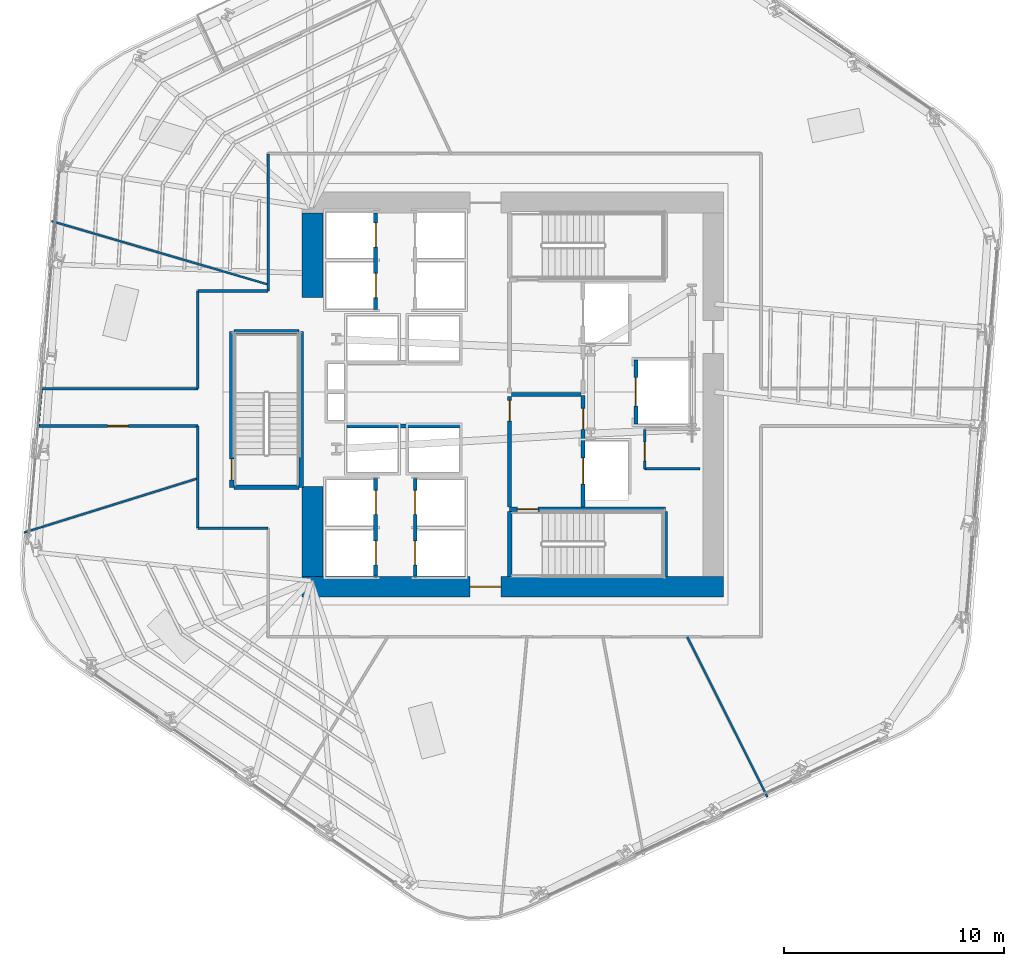
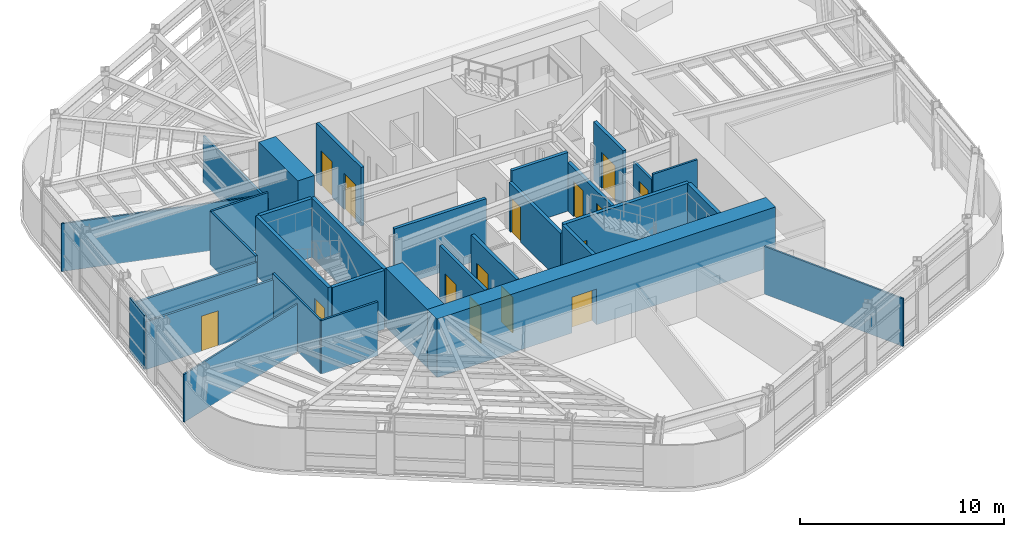
# One storey, part 9 of 19: 31 walls, 15 doors, 15 openings.
"""IFC4 building model written with IfcOpenShell, lengths in metres."""

from ifc_helpers import new_model, si_unit, direction, frame, frame_2d, origin, place, context, subcontext, project, spatial, rectangle, extrude, material, layer, layer_set, type_object, element, fill, save


model = new_model("IFC4")

# Units and contexts
model_context = context("Model", 3, precision=1e-05, world=origin(), true_north=direction((0.0, 1.0)))
body_context = subcontext(model_context, "Body", "Model", "MODEL_VIEW")
ifc_project = project(units=[si_unit("LENGTHUNIT", "METRE"), si_unit("AREAUNIT", "SQUARE_METRE"), si_unit("VOLUMEUNIT", "CUBIC_METRE"), si_unit("PLANEANGLEUNIT", "RADIAN"), si_unit("MASSUNIT", "GRAM", prefix="KILO")], contexts=[model_context])

# Site, building, storey
site_placement = place(None, origin())
site = spatial("IfcSite", under=ifc_project, at=site_placement, CompositionType="ELEMENT")
building_placement = place(site_placement, origin())
building = spatial("IfcBuilding", under=site, at=building_placement, Name="Valkerne Bourse Tower", CompositionType="ELEMENT")
storey_placement = place(building_placement, frame((0.0, 0.0, 131.39990234375)))
storey = spatial("IfcBuildingStorey", under=building, at=storey_placement, Name="L33", CompositionType="ELEMENT", Elevation=131.39990234375)

# Wall, opening, door
ifc_material_1 = material(Name="Concrete C70/85", Category="concrete")
ifc_layer_1 = layer(ifc_material_1, 0.949951171875)
ifc_layer_set_1 = layer_set([ifc_layer_1], Name="Concrete C70/85")
wall_type_1 = type_object("IfcWallType", Name="W-CORE-950", PredefinedType="SHEAR", material=ifc_layer_set_1)
wall_1_placement = place(storey_placement, frame((37.199951171875, 18.125, 0.0), z_axis=(0.0, 0.0, 1.0), x_axis=(1.0, 0.0, 0.0)))
wall_1 = element("IfcWall", 1, at=wall_1_placement, inside=storey, type_object=wall_type_1, Name="L33 Core Shear Wall SOUTH", PredefinedType="SHEAR", context=body_context, shape_type="SweptSolid", body=[
    extrude(rectangle(XDim=19.199951171875, YDim=0.949951171875, at=frame_2d((9.60009765625, 0.0))), origin(), (0.0, 0.0, 1.0), 3.52001953125),
])
opening_1_placement = place(wall_1_placement, frame((7.64990234375, 0.0, 0.0)))
opening_1 = element("IfcOpeningElement", 2, at=opening_1_placement, cuts=wall_1, Name="Opening D-PL-1400", PredefinedType="OPENING", context=body_context, shape_type="SweptSolid", body=[
    extrude(rectangle(XDim=1.39990234375, YDim=2.14990234375, at=frame_2d((0.699951171875, 1.074951171875))), frame((0.0, 0.48486328125, 0.0), z_axis=(0.0, -1.0, 0.0), x_axis=(1.0, 0.0, 0.0)), (0.0, 0.0, 1.0), 0.969970703125),
])
ifc_material_2 = material(Name="Galvanised Painted Steel", Category="steel")
door_type_1 = type_object("IfcDoorType", Name="DR-PLT-1400", OperationType="DOUBLE_DOOR_SINGLE_SWING", PredefinedType="DOOR", material=ifc_material_2)
door_1_placement = place(opening_1_placement, origin())
door_1 = element("IfcDoor", 3, at=door_1_placement, inside=storey, type_object=door_type_1, Name="L33 South Passenger Lift Hall Fire Door", OperationType="DOUBLE_DOOR_SINGLE_SWING", OverallHeight=2.14990234375, OverallWidth=1.39990234375, PredefinedType="DOOR", context=body_context, shape_type="SweptSolid", body=[
    extrude(rectangle(XDim=1.39990234375, YDim=2.14990234375, at=frame_2d((0.699951171875, 1.074951171875))), frame((0.0, 0.02490234375, 0.0), z_axis=(0.0, -1.0, 0.0), x_axis=(1.0, 0.0, 0.0)), (0.0, 0.0, 1.0), 0.050048828125),
])
fill(opening_1, door_1)

# Walls
wall_2_placement = place(storey_placement, frame((37.675048828125, 18.60009765625, 0.0), z_axis=(0.0, 0.0, 1.0), x_axis=(0.0, 1.0, 0.0)))
element("IfcWall", 4, at=wall_2_placement, inside=storey, type_object=wall_type_1, Name="L33 Core Shear Wall WEST-S", PredefinedType="SHEAR", context=body_context, shape_type="SweptSolid", body=[
    extrude(rectangle(XDim=4.099853515625, YDim=0.949951171875, at=frame_2d((2.0498046875, 0.0))), origin(), (0.0, 0.0, 1.0), 3.52001953125),
])
wall_3_placement = place(storey_placement, frame((37.675048828125, 31.300048828125, 0.0), z_axis=(0.0, 0.0, 1.0), x_axis=(0.0, 1.0, 0.0)))
element("IfcWall", 5, at=wall_3_placement, inside=storey, type_object=wall_type_1, Name="L33 Core Shear Wall WEST-N", PredefinedType="SHEAR", context=body_context, shape_type="SweptSolid", body=[
    extrude(rectangle(XDim=3.849853515625, YDim=0.949951171875, at=frame_2d((1.9248046875, 0.0))), origin(), (0.0, 0.0, 1.0), 3.52001953125),
])

# Wall, opening, door
ifc_material_3 = material(Name="Gypsum Board Steel-Stud Partition", Category="steel")
ifc_layer_2 = layer(ifc_material_3, 0.117919921875)
ifc_layer_set_2 = layer_set([ifc_layer_2], Name="Gypsum Board Steel-Stud Partition")
wall_type_2 = type_object("IfcWallType", Name="W-CORR-140", PredefinedType="PARTITIONING", material=ifc_layer_set_2)
wall_4_placement = place(storey_placement, frame((52.800048828125, 23.5, 0.0), z_axis=(0.0, 0.0, 1.0), x_axis=(0.0, 1.0, 0.0)))
wall_4 = element("IfcWall", 6, at=wall_4_placement, inside=storey, type_object=wall_type_2, Name="L33 Core SE North-Bay West Wall", PredefinedType="PARTITIONING", context=body_context, shape_type="SweptSolid", body=[
    extrude(rectangle(XDim=1.800048828125, YDim=0.117919921875, at=frame_2d((0.89990234375, 0.0))), origin(), (0.0, 0.0, 1.0), 2.89794921875),
])
opening_2_placement = place(wall_4_placement, frame((0.35009765625, 0.0, 0.0)))
opening_2 = element("IfcOpeningElement", 7, at=opening_2_placement, cuts=wall_4, Name="Opening D-WC-900", PredefinedType="OPENING", context=body_context, shape_type="SweptSolid", body=[
    extrude(rectangle(XDim=0.860107421875, YDim=2.050048828125, at=frame_2d((0.43017578125, 1.02490234375))), frame((0.0, 0.06884765625, 0.0), z_axis=(0.0, -1.0, 0.0), x_axis=(1.0, 0.0, 0.0)), (0.0, 0.0, 1.0), 0.137939453125),
])
ifc_material_4 = material(Name="Architectural White Oak Timber", Category="wood")
door_type_2 = type_object("IfcDoorType", Name="DR-WC-900", OperationType="NOTDEFINED", PredefinedType="DOOR", material=ifc_material_4)
door_2_placement = place(opening_2_placement, origin())
door_2 = element("IfcDoor", 8, at=door_2_placement, inside=storey, type_object=door_type_2, Name="L33 Telecom Closet Door", OperationType="SINGLE_SWING_RIGHT", OverallHeight=2.050048828125, OverallWidth=0.860107421875, PredefinedType="DOOR", context=body_context, shape_type="SweptSolid", body=[
    extrude(rectangle(XDim=0.860107421875, YDim=2.050048828125, at=frame_2d((0.43017578125, 1.02490234375))), frame((0.0, 0.02490234375, 0.0), z_axis=(0.0, -1.0, 0.0), x_axis=(1.0, 0.0, 0.0)), (0.0, 0.0, 1.0), 0.050048828125),
])
fill(opening_2, door_2)

# Walls
wall_5_placement = place(storey_placement, frame((52.800048828125, 23.5, 0.0), z_axis=(0.0, 0.0, 1.0), x_axis=(1.0, 0.0, 0.0)))
element("IfcWall", 9, at=wall_5_placement, inside=storey, type_object=wall_type_2, Name="L33 Core SE North-Bay South Wall", PredefinedType="PARTITIONING", context=body_context, shape_type="SweptSolid", body=[
    extrude(rectangle(XDim=2.52001953125, YDim=0.117919921875, at=frame_2d((1.260009765625, 0.0))), origin(), (0.0, 0.0, 1.0), 3.22021484375),
])
wall_6_placement = place(storey_placement, frame((35.64990234375, 20.800048828125, 0.0), z_axis=(0.0, 0.0, 1.0), x_axis=(-1.0, 0.0, 0.0)))
element("IfcWall", 10, at=wall_6_placement, inside=storey, type_object=wall_type_2, Name="L33 Corridor Enclosure Wall", PredefinedType="PARTITIONING", context=body_context, shape_type="SweptSolid", body=[
    extrude(rectangle(XDim=3.199951171875, YDim=0.117919921875, at=frame_2d((1.60009765625, 0.0))), origin(), (0.0, 0.0, 1.0), 3.22021484375),
])
wall_7_placement = place(storey_placement, frame((32.449951171875, 20.800048828125, 0.0), z_axis=(0.0, 0.0, 1.0), x_axis=(0.0, 1.0, 0.0)))
element("IfcWall", 11, at=wall_7_placement, inside=storey, type_object=wall_type_2, Name="L33 Corridor Enclosure Wall", PredefinedType="PARTITIONING", context=body_context, shape_type="SweptSolid", body=[
    extrude(rectangle(XDim=4.64990234375, YDim=0.117919921875, at=frame_2d((2.324951171875, 0.0))), origin(), (0.0, 0.0, 1.0), 3.22021484375),
])

# Wall, opening, door
wall_8_placement = place(storey_placement, frame((32.449951171875, 25.449951171875, 0.0), z_axis=(0.0, 0.0, 1.0), x_axis=(-1.0, 0.0, 0.0)))
wall_8 = element("IfcWall", 12, at=wall_8_placement, inside=storey, type_object=wall_type_2, Name="L33 Corridor Enclosure Wall", PredefinedType="PARTITIONING", context=body_context, shape_type="SweptSolid", body=[
    extrude(rectangle(XDim=7.28076171875, YDim=0.117919921875, at=frame_2d((3.640380859375, 0.0))), origin(), (0.0, 0.0, 1.0), 2.8623046875),
])
opening_3_placement = place(wall_8_placement, frame((3.165283203125, 0.0, 0.0)))
opening_3 = element("IfcOpeningElement", 13, at=opening_3_placement, cuts=wall_8, Name="Opening D-OF-950", PredefinedType="OPENING", context=body_context, shape_type="SweptSolid", body=[
    extrude(rectangle(XDim=0.949951171875, YDim=2.10009765625, at=frame_2d((0.47509765625, 1.050048828125))), frame((0.0, 0.06884765625, 0.0), z_axis=(0.0, -1.0, 0.0), x_axis=(1.0, 0.0, 0.0)), (0.0, 0.0, 1.0), 0.137939453125),
])
door_type_3 = type_object("IfcDoorType", Name="DR-OFF-950", OperationType="NOTDEFINED", PredefinedType="DOOR", material=ifc_material_4)
door_3_placement = place(opening_3_placement, origin())
door_3 = element("IfcDoor", 14, at=door_3_placement, inside=storey, type_object=door_type_3, Name="L33 L33 Commodities Market Showroom 3 Door", OperationType="SINGLE_SWING_LEFT", OverallHeight=2.10009765625, OverallWidth=0.949951171875, PredefinedType="DOOR", context=body_context, shape_type="SweptSolid", body=[
    extrude(rectangle(XDim=0.949951171875, YDim=2.10009765625, at=frame_2d((0.47509765625, 1.050048828125))), frame((0.0, 0.02490234375, 0.0), z_axis=(0.0, -1.0, 0.0), x_axis=(1.0, 0.0, 0.0)), (0.0, 0.0, 1.0), 0.050048828125),
])
fill(opening_3, door_3)

# Walls
wall_9_placement = place(storey_placement, frame((25.169189453125, 25.449951171875, 0.0), z_axis=(0.0, 0.0, 1.0), x_axis=(0.087981487519, 0.996122109911, 0.0)))
element("IfcWall", 15, at=wall_9_placement, inside=storey, type_object=wall_type_2, Name="L33 Corridor Enclosure Wall", PredefinedType="PARTITIONING", context=body_context, shape_type="SweptSolid", body=[
    extrude(rectangle(XDim=1.70654296875, YDim=0.117919921875, at=frame_2d((0.853271484375, 0.0))), origin(), (0.0, 0.0, 1.0), 3.22021484375),
])
wall_10_placement = place(storey_placement, frame((25.3193359375, 27.14990234375, 0.0), z_axis=(0.0, 0.0, 1.0), x_axis=(1.0, 0.0, 0.0)))
element("IfcWall", 16, at=wall_10_placement, inside=storey, type_object=wall_type_2, Name="L33 Corridor Enclosure Wall", PredefinedType="PARTITIONING", context=body_context, shape_type="SweptSolid", body=[
    extrude(rectangle(XDim=7.130615234375, YDim=0.117919921875, at=frame_2d((3.5654296875, 0.0))), origin(), (0.0, 0.0, 1.0), 2.8623046875),
])
wall_11_placement = place(storey_placement, frame((32.449951171875, 27.14990234375, 0.0), z_axis=(0.0, 0.0, 1.0), x_axis=(0.0, 1.0, 0.0)))
element("IfcWall", 17, at=wall_11_placement, inside=storey, type_object=wall_type_2, Name="L33 Corridor Enclosure Wall", PredefinedType="PARTITIONING", context=body_context, shape_type="SweptSolid", body=[
    extrude(rectangle(XDim=4.4501953125, YDim=0.117919921875, at=frame_2d((2.22509765625, 0.0))), origin(), (0.0, 0.0, 1.0), 3.22021484375),
])
wall_12_placement = place(storey_placement, frame((32.449951171875, 31.60009765625, 0.0), z_axis=(0.0, 0.0, 1.0), x_axis=(1.0, 0.0, 0.0)))
element("IfcWall", 18, at=wall_12_placement, inside=storey, type_object=wall_type_2, Name="L33 Corridor Enclosure Wall", PredefinedType="PARTITIONING", context=body_context, shape_type="SweptSolid", body=[
    extrude(rectangle(XDim=3.199951171875, YDim=0.117919921875, at=frame_2d((1.60009765625, 0.0))), origin(), (0.0, 0.0, 1.0), 3.22021484375),
])
wall_13_placement = place(storey_placement, frame((35.64990234375, 31.60009765625, 0.0), z_axis=(0.0, 0.0, 1.0), x_axis=(0.0, 1.0, 0.0)))
element("IfcWall", 19, at=wall_13_placement, inside=storey, type_object=wall_type_2, Name="L33 Corridor Enclosure Wall", PredefinedType="PARTITIONING", context=body_context, shape_type="SweptSolid", body=[
    extrude(rectangle(XDim=6.25, YDim=0.117919921875, at=frame_2d((3.125, 0.0))), origin(), (0.0, 0.0, 1.0), 2.816650390625),
])
ifc_material_5 = material(Name="Gypsum Fire-Rated Shaftwall", Category="gypsum")
ifc_layer_3 = layer(ifc_material_5, 0.179931640625)
ifc_layer_set_3 = layer_set([ifc_layer_3], Name="Gypsum Fire-Rated Shaftwall")
wall_type_3 = type_object("IfcWallType", Name="W-FSAE-180", PredefinedType="PARTITIONING", material=ifc_layer_set_3)
wall_14_placement = place(storey_placement, frame((46.739990234375, 26.8798828125, 0.0), z_axis=(0.0, 0.0, 1.0), x_axis=(1.0, 0.0, 0.0)))
element("IfcWall", 20, at=wall_14_placement, inside=storey, type_object=wall_type_3, Name="L33 FSAE-1/2 Lobby Dividing Fire Wall", PredefinedType="PARTITIONING", context=body_context, shape_type="SweptSolid", body=[
    extrude(rectangle(XDim=3.169921875, YDim=0.179931640625, at=frame_2d((1.5849609375, 0.0))), origin(), (0.0, 0.0, 1.0), 3.52001953125),
])

# Wall, opening, door
wall_15_placement = place(storey_placement, frame((46.64990234375, 21.75, 0.0), z_axis=(0.0, 0.0, 1.0), x_axis=(0.0, 1.0, 0.0)))
wall_15 = element("IfcWall", 21, at=wall_15_placement, inside=storey, type_object=wall_type_3, Name="L33 FSAE-1 Lobby West Fire Wall", PredefinedType="PARTITIONING", context=body_context, shape_type="SweptSolid", body=[
    extrude(rectangle(XDim=5.050048828125, YDim=0.179931640625, at=frame_2d((2.52490234375, 0.0))), origin(), (0.0, 0.0, 1.0), 2.89794921875),
])
opening_4_placement = place(wall_15_placement, frame((3.919921875, 0.0, 0.0)))
opening_4 = element("IfcOpeningElement", 22, at=opening_4_placement, cuts=wall_15, Name="Opening D-FS-950", PredefinedType="OPENING", context=body_context, shape_type="SweptSolid", body=[
    extrude(rectangle(XDim=0.949951171875, YDim=2.10009765625, at=frame_2d((0.47509765625, 1.050048828125))), frame((0.0, 0.099853515625, 0.0), z_axis=(0.0, -1.0, 0.0), x_axis=(1.0, 0.0, 0.0)), (0.0, 0.0, 1.0), 0.199951171875),
])
door_type_4 = type_object("IfcDoorType", Name="DR-FSAE-950", OperationType="NOTDEFINED", PredefinedType="DOOR", material=ifc_material_2)
door_4_placement = place(opening_4_placement, origin())
door_4 = element("IfcDoor", 23, at=door_4_placement, inside=storey, type_object=door_type_4, Name="L33 FSAE-1 Hall Link Fire Door", OperationType="SINGLE_SWING_RIGHT", OverallHeight=2.10009765625, OverallWidth=0.949951171875, PredefinedType="DOOR", context=body_context, shape_type="SweptSolid", body=[
    extrude(rectangle(XDim=0.949951171875, YDim=2.10009765625, at=frame_2d((0.47509765625, 1.050048828125))), frame((0.0, 0.02490234375, 0.0), z_axis=(0.0, -1.0, 0.0), x_axis=(1.0, 0.0, 0.0)), (0.0, 0.0, 1.0), 0.050048828125),
])
fill(opening_4, door_4)

# Wall, openings, doors
wall_16_placement = place(storey_placement, frame((50.0, 21.75, 0.0), z_axis=(0.0, 0.0, 1.0), x_axis=(0.0, 1.0, 0.0)))
wall_16 = element("IfcWall", 24, at=wall_16_placement, inside=storey, type_object=wall_type_3, Name="L33 FSAE-1 Lobby & Shaft Front Wall", PredefinedType="PARTITIONING", context=body_context, shape_type="SweptSolid", body=[
    extrude(rectangle(XDim=5.090087890625, YDim=0.179931640625, at=frame_2d((2.544921875, 0.0))), origin(), (0.0, 0.0, 1.0), 2.89794921875),
])
opening_5_placement = place(wall_16_placement, frame((1.050048828125, 0.0, 0.0)))
opening_5 = element("IfcOpeningElement", 25, at=opening_5_placement, cuts=wall_16, Name="Opening LD-1200", PredefinedType="OPENING", context=body_context, shape_type="SweptSolid", body=[
    extrude(rectangle(XDim=1.199951171875, YDim=2.14990234375, at=frame_2d((0.60009765625, 1.074951171875))), frame((0.0, 0.099853515625, 0.0), z_axis=(0.0, -1.0, 0.0), x_axis=(1.0, 0.0, 0.0)), (0.0, 0.0, 1.0), 0.199951171875),
])
opening_6_placement = place(wall_16_placement, frame((3.550048828125, 0.0, 0.0)))
opening_6 = element("IfcOpeningElement", 26, at=opening_6_placement, cuts=wall_16, Name="Opening D-FS-950", PredefinedType="OPENING", context=body_context, shape_type="SweptSolid", body=[
    extrude(rectangle(XDim=0.949951171875, YDim=2.10009765625, at=frame_2d((0.47509765625, 1.050048828125))), frame((0.0, 0.099853515625, 0.0), z_axis=(0.0, -1.0, 0.0), x_axis=(1.0, 0.0, 0.0)), (0.0, 0.0, 1.0), 0.199951171875),
])
door_5_placement = place(opening_6_placement, origin())
door_5 = element("IfcDoor", 27, at=door_5_placement, inside=storey, type_object=door_type_4, Name="L33 FSAE-1 Lobby Corridor Fire Door", OperationType="SINGLE_SWING_RIGHT", OverallHeight=2.10009765625, OverallWidth=0.949951171875, PredefinedType="DOOR", context=body_context, shape_type="SweptSolid", body=[
    extrude(rectangle(XDim=0.949951171875, YDim=2.10009765625, at=frame_2d((0.47509765625, 1.050048828125))), frame((0.0, 0.02490234375, 0.0), z_axis=(0.0, -1.0, 0.0), x_axis=(1.0, 0.0, 0.0)), (0.0, 0.0, 1.0), 0.050048828125),
])
fill(opening_6, door_5)
ifc_material_6 = material(Name="Stainless Steel AISI 316", Category="steel")
door_type_5 = type_object("IfcDoorType", Name="DR-LIFT-1200", OperationType="DOUBLE_DOOR_SLIDING", PredefinedType="DOOR", material=ifc_material_6)
door_6_placement = place(opening_5_placement, origin())
door_6 = element("IfcDoor", 28, at=door_6_placement, inside=storey, type_object=door_type_5, Name="L33 FSAE-1 Firefighting Lift Landing Door", OperationType="DOUBLE_DOOR_SLIDING", OverallHeight=2.14990234375, OverallWidth=1.199951171875, PredefinedType="DOOR", context=body_context, shape_type="SweptSolid", body=[
    extrude(rectangle(XDim=1.199951171875, YDim=2.14990234375, at=frame_2d((0.60009765625, 1.074951171875))), frame((0.0, 0.02490234375, 0.0), z_axis=(0.0, -1.0, 0.0), x_axis=(1.0, 0.0, 0.0)), (0.0, 0.0, 1.0), 0.050048828125),
])
fill(opening_5, door_6)

# Wall, opening, door
ifc_material_7 = material(Name="CMU Blockwork Masonry 200mm", Category="masonry")
ifc_layer_4 = layer(ifc_material_7, 0.179931640625)
ifc_layer_set_4 = layer_set([ifc_layer_4], Name="CMU Blockwork Masonry 200mm")
wall_type_4 = type_object("IfcWallType", Name="W-LFT-180", PredefinedType="SOLIDWALL", material=ifc_layer_set_4)
wall_17_placement = place(storey_placement, frame((52.39990234375, 25.550048828125, 0.0), z_axis=(0.0, 0.0, 1.0), x_axis=(0.0, 1.0, 0.0)))
wall_17 = element("IfcWall", 29, at=wall_17_placement, inside=storey, type_object=wall_type_4, Name="L33 Service Lift SV-1 Front Wall", PredefinedType="SOLIDWALL", context=body_context, shape_type="SweptSolid", body=[
    extrude(rectangle(XDim=2.89990234375, YDim=0.179931640625, at=frame_2d((1.449951171875, 0.0))), origin(), (0.0, 0.0, 1.0), 3.52001953125),
])
opening_7_placement = place(wall_17_placement, frame((0.800048828125, 0.0, 0.0)))
opening_7 = element("IfcOpeningElement", 30, at=opening_7_placement, cuts=wall_17, Name="Opening LD-1300", PredefinedType="OPENING", context=body_context, shape_type="SweptSolid", body=[
    extrude(rectangle(XDim=1.300048828125, YDim=2.14990234375, at=frame_2d((0.64990234375, 1.074951171875))), frame((0.0, 0.099853515625, 0.0), z_axis=(0.0, -1.0, 0.0), x_axis=(1.0, 0.0, 0.0)), (0.0, 0.0, 1.0), 0.199951171875),
])
door_type_6 = type_object("IfcDoorType", Name="DR-LIFT-1300", OperationType="DOUBLE_DOOR_SLIDING", PredefinedType="DOOR", material=ifc_material_6)
door_7_placement = place(opening_7_placement, origin())
door_7 = element("IfcDoor", 31, at=door_7_placement, inside=storey, type_object=door_type_6, Name="L33 Service Lift SV-1 Landing Door", OperationType="DOUBLE_DOOR_SLIDING", OverallHeight=2.14990234375, OverallWidth=1.300048828125, PredefinedType="DOOR", context=body_context, shape_type="SweptSolid", body=[
    extrude(rectangle(XDim=1.300048828125, YDim=2.14990234375, at=frame_2d((0.64990234375, 1.074951171875))), frame((0.0, 0.02490234375, 0.0), z_axis=(0.0, -1.0, 0.0), x_axis=(1.0, 0.0, 0.0)), (0.0, 0.0, 1.0), 0.050048828125),
])
fill(opening_7, door_7)

# Wall, openings, doors
wall_18_placement = place(storey_placement, frame((40.550048828125, 18.6201171875, 0.0), z_axis=(0.0, 0.0, 1.0), x_axis=(0.0, 1.0, 0.0)))
wall_18 = element("IfcWall", 32, at=wall_18_placement, inside=storey, type_object=wall_type_4, Name="L33 Low-Zone West Cars Front Wall", PredefinedType="SOLIDWALL", context=body_context, shape_type="SweptSolid", body=[
    extrude(rectangle(XDim=4.429931640625, YDim=0.179931640625, at=frame_2d((2.21484375, 0.0))), origin(), (0.0, 0.0, 1.0), 3.52001953125),
])
opening_8_placement = place(wall_18_placement, frame((0.5, 0.0, 0.0)))
opening_8 = element("IfcOpeningElement", 33, at=opening_8_placement, cuts=wall_18, Name="Opening LD-1100", PredefinedType="OPENING", context=body_context, shape_type="SweptSolid", body=[
    extrude(rectangle(XDim=1.10009765625, YDim=2.14990234375, at=frame_2d((0.550048828125, 1.074951171875))), frame((0.0, 0.099853515625, 0.0), z_axis=(0.0, -1.0, 0.0), x_axis=(1.0, 0.0, 0.0)), (0.0, 0.0, 1.0), 0.199951171875),
])
opening_9_placement = place(wall_18_placement, frame((2.800048828125, 0.0, 0.0)))
opening_9 = element("IfcOpeningElement", 34, at=opening_9_placement, cuts=wall_18, Name="Opening LD-1100", PredefinedType="OPENING", context=body_context, shape_type="SweptSolid", body=[
    extrude(rectangle(XDim=1.10009765625, YDim=2.14990234375, at=frame_2d((0.550048828125, 1.074951171875))), frame((0.0, 0.099853515625, 0.0), z_axis=(0.0, -1.0, 0.0), x_axis=(1.0, 0.0, 0.0)), (0.0, 0.0, 1.0), 0.199951171875),
])
door_type_7 = type_object("IfcDoorType", Name="DR-LIFT-1100", OperationType="DOUBLE_DOOR_SLIDING", PredefinedType="DOOR", material=ifc_material_6)
door_8_placement = place(opening_8_placement, origin())
door_8 = element("IfcDoor", 35, at=door_8_placement, inside=storey, type_object=door_type_7, Name="L33 Passenger Lift PL-L1 Sliding Landing Door", OperationType="DOUBLE_DOOR_SLIDING", OverallHeight=2.14990234375, OverallWidth=1.10009765625, PredefinedType="DOOR", context=body_context, shape_type="SweptSolid", body=[
    extrude(rectangle(XDim=1.10009765625, YDim=2.14990234375, at=frame_2d((0.550048828125, 1.074951171875))), frame((0.0, 0.02490234375, 0.0), z_axis=(0.0, -1.0, 0.0), x_axis=(1.0, 0.0, 0.0)), (0.0, 0.0, 1.0), 0.050048828125),
])
fill(opening_8, door_8)
door_9_placement = place(opening_9_placement, origin())
door_9 = element("IfcDoor", 36, at=door_9_placement, inside=storey, type_object=door_type_7, Name="L33 Passenger Lift PL-L2 Sliding Landing Door", OperationType="DOUBLE_DOOR_SLIDING", OverallHeight=2.14990234375, OverallWidth=1.10009765625, PredefinedType="DOOR", context=body_context, shape_type="SweptSolid", body=[
    extrude(rectangle(XDim=1.10009765625, YDim=2.14990234375, at=frame_2d((0.550048828125, 1.074951171875))), frame((0.0, 0.02490234375, 0.0), z_axis=(0.0, -1.0, 0.0), x_axis=(1.0, 0.0, 0.0)), (0.0, 0.0, 1.0), 0.050048828125),
])
fill(opening_9, door_9)

wall_19_placement = place(storey_placement, frame((42.35009765625, 18.6201171875, 0.0), z_axis=(0.0, 0.0, 1.0), x_axis=(0.0, 1.0, 0.0)))
wall_19 = element("IfcWall", 37, at=wall_19_placement, inside=storey, type_object=wall_type_4, Name="L33 Low-Zone East Cars Front Wall", PredefinedType="SOLIDWALL", context=body_context, shape_type="SweptSolid", body=[
    extrude(rectangle(XDim=4.429931640625, YDim=0.179931640625, at=frame_2d((2.21484375, 0.0))), origin(), (0.0, 0.0, 1.0), 3.52001953125),
])
opening_10_placement = place(wall_19_placement, frame((0.5, 0.0, 0.0)))
opening_10 = element("IfcOpeningElement", 38, at=opening_10_placement, cuts=wall_19, Name="Opening LD-1100", PredefinedType="OPENING", context=body_context, shape_type="SweptSolid", body=[
    extrude(rectangle(XDim=1.10009765625, YDim=2.14990234375, at=frame_2d((0.550048828125, 1.074951171875))), frame((0.0, 0.099853515625, 0.0), z_axis=(0.0, -1.0, 0.0), x_axis=(1.0, 0.0, 0.0)), (0.0, 0.0, 1.0), 0.199951171875),
])
opening_11_placement = place(wall_19_placement, frame((2.800048828125, 0.0, 0.0)))
opening_11 = element("IfcOpeningElement", 39, at=opening_11_placement, cuts=wall_19, Name="Opening LD-1100", PredefinedType="OPENING", context=body_context, shape_type="SweptSolid", body=[
    extrude(rectangle(XDim=1.10009765625, YDim=2.14990234375, at=frame_2d((0.550048828125, 1.074951171875))), frame((0.0, 0.099853515625, 0.0), z_axis=(0.0, -1.0, 0.0), x_axis=(1.0, 0.0, 0.0)), (0.0, 0.0, 1.0), 0.199951171875),
])
door_10_placement = place(opening_10_placement, origin())
door_10 = element("IfcDoor", 40, at=door_10_placement, inside=storey, type_object=door_type_7, Name="L33 Passenger Lift PL-L3 Sliding Landing Door", OperationType="DOUBLE_DOOR_SLIDING", OverallHeight=2.14990234375, OverallWidth=1.10009765625, PredefinedType="DOOR", context=body_context, shape_type="SweptSolid", body=[
    extrude(rectangle(XDim=1.10009765625, YDim=2.14990234375, at=frame_2d((0.550048828125, 1.074951171875))), frame((0.0, 0.02490234375, 0.0), z_axis=(0.0, -1.0, 0.0), x_axis=(1.0, 0.0, 0.0)), (0.0, 0.0, 1.0), 0.050048828125),
])
fill(opening_10, door_10)
door_11_placement = place(opening_11_placement, origin())
door_11 = element("IfcDoor", 41, at=door_11_placement, inside=storey, type_object=door_type_7, Name="L33 Passenger Lift PL-L4 Sliding Landing Door", OperationType="DOUBLE_DOOR_SLIDING", OverallHeight=2.14990234375, OverallWidth=1.10009765625, PredefinedType="DOOR", context=body_context, shape_type="SweptSolid", body=[
    extrude(rectangle(XDim=1.10009765625, YDim=2.14990234375, at=frame_2d((0.550048828125, 1.074951171875))), frame((0.0, 0.02490234375, 0.0), z_axis=(0.0, -1.0, 0.0), x_axis=(1.0, 0.0, 0.0)), (0.0, 0.0, 1.0), 0.050048828125),
])
fill(opening_11, door_11)

wall_20_placement = place(storey_placement, frame((40.550048828125, 30.75, 0.0), z_axis=(0.0, 0.0, 1.0), x_axis=(0.0, 1.0, 0.0)))
wall_20 = element("IfcWall", 42, at=wall_20_placement, inside=storey, type_object=wall_type_4, Name="L33 Mid-Zone West Cars Front Wall", PredefinedType="SOLIDWALL", context=body_context, shape_type="SweptSolid", body=[
    extrude(rectangle(XDim=4.39990234375, YDim=0.179931640625, at=frame_2d((2.199951171875, 0.0))), origin(), (0.0, 0.0, 1.0), 3.52001953125),
])
opening_12_placement = place(wall_20_placement, frame((0.550048828125, 0.0, 0.0)))
opening_12 = element("IfcOpeningElement", 43, at=opening_12_placement, cuts=wall_20, Name="Opening LD-1100", PredefinedType="OPENING", context=body_context, shape_type="SweptSolid", body=[
    extrude(rectangle(XDim=1.10009765625, YDim=2.14990234375, at=frame_2d((0.550048828125, 1.074951171875))), frame((0.0, 0.099853515625, 0.0), z_axis=(0.0, -1.0, 0.0), x_axis=(1.0, 0.0, 0.0)), (0.0, 0.0, 1.0), 0.199951171875),
])
opening_13_placement = place(wall_20_placement, frame((2.85009765625, 0.0, 0.0)))
opening_13 = element("IfcOpeningElement", 44, at=opening_13_placement, cuts=wall_20, Name="Opening LD-1100", PredefinedType="OPENING", context=body_context, shape_type="SweptSolid", body=[
    extrude(rectangle(XDim=1.10009765625, YDim=2.14990234375, at=frame_2d((0.550048828125, 1.074951171875))), frame((0.0, 0.099853515625, 0.0), z_axis=(0.0, -1.0, 0.0), x_axis=(1.0, 0.0, 0.0)), (0.0, 0.0, 1.0), 0.199951171875),
])
door_12_placement = place(opening_12_placement, origin())
door_12 = element("IfcDoor", 45, at=door_12_placement, inside=storey, type_object=door_type_7, Name="L33 Passenger Lift PL-M1 Sliding Landing Door", OperationType="DOUBLE_DOOR_SLIDING", OverallHeight=2.14990234375, OverallWidth=1.10009765625, PredefinedType="DOOR", context=body_context, shape_type="SweptSolid", body=[
    extrude(rectangle(XDim=1.10009765625, YDim=2.14990234375, at=frame_2d((0.550048828125, 1.074951171875))), frame((0.0, 0.02490234375, 0.0), z_axis=(0.0, -1.0, 0.0), x_axis=(1.0, 0.0, 0.0)), (0.0, 0.0, 1.0), 0.050048828125),
])
fill(opening_12, door_12)
door_13_placement = place(opening_13_placement, origin())
door_13 = element("IfcDoor", 46, at=door_13_placement, inside=storey, type_object=door_type_7, Name="L33 Passenger Lift PL-M2 Sliding Landing Door", OperationType="DOUBLE_DOOR_SLIDING", OverallHeight=2.14990234375, OverallWidth=1.10009765625, PredefinedType="DOOR", context=body_context, shape_type="SweptSolid", body=[
    extrude(rectangle(XDim=1.10009765625, YDim=2.14990234375, at=frame_2d((0.550048828125, 1.074951171875))), frame((0.0, 0.02490234375, 0.0), z_axis=(0.0, -1.0, 0.0), x_axis=(1.0, 0.0, 0.0)), (0.0, 0.0, 1.0), 0.050048828125),
])
fill(opening_13, door_13)

# Walls
wall_21_placement = place(storey_placement, frame((39.25, 25.449951171875, 0.0), z_axis=(0.0, 0.0, 1.0), x_axis=(1.0, 0.0, 0.0)))
element("IfcWall", 47, at=wall_21_placement, inside=storey, type_object=wall_type_4, Name="L33 High-Zone South Cars Front Wall", PredefinedType="SOLIDWALL", context=body_context, shape_type="SweptSolid", body=[
    extrude(rectangle(XDim=5.199951171875, YDim=0.179931640625, at=frame_2d((2.60009765625, 0.0))), origin(), (0.0, 0.0, 1.0), 3.52001953125),
])
ifc_layer_5 = layer(ifc_material_3, 0.092041015625)
ifc_layer_set_5 = layer_set([ifc_layer_5], Name="Gypsum Board Steel-Stud Partition")
wall_type_5 = type_object("IfcWallType", Name="W-PART-115", PredefinedType="PARTITIONING", material=ifc_layer_set_5)
wall_22_placement = place(storey_placement, frame((54.73681640625, 15.844970703125, 0.0), z_axis=(0.0, 0.0, 1.0), x_axis=(0.447763905367, -0.894151824385, 0.0)))
element("IfcWall", 48, at=wall_22_placement, inside=storey, type_object=wall_type_5, Name="L33 Suite Partition P03", PredefinedType="PARTITIONING", context=body_context, shape_type="SweptSolid", body=[
    extrude(rectangle(XDim=8.161865234375, YDim=0.092041015625, at=frame_2d((4.0810546875, 0.0))), origin(), (0.0, 0.0, 1.0), 2.8623046875),
])
wall_23_placement = place(storey_placement, frame((35.64501953125, 31.89404296875, 0.0), z_axis=(0.0, 0.0, 1.0), x_axis=(-0.959693190611, 0.281049781879, 0.0)))
element("IfcWall", 49, at=wall_23_placement, inside=storey, type_object=wall_type_5, Name="L33 Suite Partition P05", PredefinedType="PARTITIONING", context=body_context, shape_type="SweptSolid", body=[
    extrude(rectangle(XDim=10.27734375, YDim=0.092041015625, at=frame_2d((5.138671875, 0.0))), origin(), (0.0, 0.0, 1.0), 2.8623046875),
])
wall_24_placement = place(storey_placement, frame((32.445068359375, 23.062744140625, 0.0), z_axis=(0.0, 0.0, 1.0), x_axis=(-0.954666322933, -0.297678033884, 0.0)))
element("IfcWall", 50, at=wall_24_placement, inside=storey, type_object=wall_type_5, Name="L33 Suite Partition P06", PredefinedType="PARTITIONING", context=body_context, shape_type="SweptSolid", body=[
    extrude(rectangle(XDim=8.291015625, YDim=0.092041015625, at=frame_2d((4.1455078125, 0.0))), origin(), (0.0, 0.0, 1.0), 2.8623046875),
])

# Wall, opening, door
ifc_material_8 = material(Name="Concrete C40/50", Category="concrete")
ifc_layer_6 = layer(ifc_material_8, 0.199951171875)
ifc_layer_set_6 = layer_set([ifc_layer_6], Name="Concrete C40/50")
wall_type_6 = type_object("IfcWallType", Name="W-SHF-200", PredefinedType="SHEAR", material=ifc_layer_set_6)
wall_25_placement = place(storey_placement, frame((46.64990234375, 21.64990234375, 0.0), z_axis=(0.0, 0.0, 1.0), x_axis=(1.0, 0.0, 0.0)))
wall_25 = element("IfcWall", 51, at=wall_25_placement, inside=storey, type_object=wall_type_6, Name="L33 Exit Stair ST-1 Structural Shaft Wall North", PredefinedType="SHEAR", context=body_context, shape_type="SweptSolid", body=[
    extrude(rectangle(XDim=7.10009765625, YDim=0.199951171875, at=frame_2d((3.550048828125, 0.0))), origin(), (0.0, 0.0, 1.0), 3.52001953125),
])
opening_14_placement = place(wall_25_placement, frame((0.35009765625, 0.0, 0.0)))
opening_14 = element("IfcOpeningElement", 52, at=opening_14_placement, cuts=wall_25, Name="Opening D-ST-950", PredefinedType="OPENING", context=body_context, shape_type="SweptSolid", body=[
    extrude(rectangle(XDim=0.949951171875, YDim=2.10009765625, at=frame_2d((0.47509765625, 1.050048828125))), frame((0.0, 0.10986328125, 0.0), z_axis=(0.0, -1.0, 0.0), x_axis=(1.0, 0.0, 0.0)), (0.0, 0.0, 1.0), 0.219970703125),
])
door_type_8 = type_object("IfcDoorType", Name="DR-STAIR-950", OperationType="NOTDEFINED", PredefinedType="DOOR", material=ifc_material_2)
door_14_placement = place(opening_14_placement, origin())
door_14 = element("IfcDoor", 53, at=door_14_placement, inside=storey, type_object=door_type_8, Name="L33 Exit Stair ST-1 Door", OperationType="SINGLE_SWING_LEFT", OverallHeight=2.10009765625, OverallWidth=0.949951171875, PredefinedType="DOOR", context=body_context, shape_type="SweptSolid", body=[
    extrude(rectangle(XDim=0.949951171875, YDim=2.10009765625, at=frame_2d((0.47509765625, 1.050048828125))), frame((0.0, 0.02490234375, 0.0), z_axis=(0.0, -1.0, 0.0), x_axis=(1.0, 0.0, 0.0)), (0.0, 0.0, 1.0), 0.050048828125),
])
fill(opening_14, door_14)

# Walls
for number, where, z_axis, x_axis, name in (
    (54, (46.64990234375, 18.60009765625, 0.0), (0.0, 0.0, 1.0), (0.0, 1.0, 0.0), "L33 Exit Stair ST-1 Structural Shaft Wall West"),
    (55, (53.75, 18.60009765625, 0.0), (0.0, 0.0, 1.0), (0.0, 1.0, 0.0), "L33 Exit Stair ST-1 Structural Shaft Wall East"),
):
    element("IfcWall", number, at=place(storey_placement, frame(where, z_axis=z_axis, x_axis=x_axis)), inside=storey, type_object=wall_type_6, Name=name, PredefinedType="SHEAR", context=body_context, shape_type="SweptSolid", body=[
        extrude(rectangle(XDim=2.949951171875, YDim=0.199951171875, at=frame_2d((1.47509765625, 0.0))), origin(), (0.0, 0.0, 1.0), 3.52001953125),
    ])

# Wall, opening, door
wall_26_placement = place(storey_placement, frame((34.0, 22.64990234375, 0.0), z_axis=(0.0, 0.0, 1.0), x_axis=(0.0, 1.0, 0.0)))
wall_26 = element("IfcWall", 56, at=wall_26_placement, inside=storey, type_object=wall_type_6, Name="L33 Exit Stair ST-3 Structural Shaft Wall West", PredefinedType="SHEAR", context=body_context, shape_type="SweptSolid", body=[
    extrude(rectangle(XDim=7.10009765625, YDim=0.199951171875, at=frame_2d((3.550048828125, 0.0))), origin(), (0.0, 0.0, 1.0), 3.52001953125),
])
opening_15_placement = place(wall_26_placement, frame((0.35009765625, 0.0, 0.0)))
opening_15 = element("IfcOpeningElement", 57, at=opening_15_placement, cuts=wall_26, Name="Opening D-ST-950", PredefinedType="OPENING", context=body_context, shape_type="SweptSolid", body=[
    extrude(rectangle(XDim=0.949951171875, YDim=2.10009765625, at=frame_2d((0.47509765625, 1.050048828125))), frame((0.0, 0.10986328125, 0.0), z_axis=(0.0, -1.0, 0.0), x_axis=(1.0, 0.0, 0.0)), (0.0, 0.0, 1.0), 0.219970703125),
])
door_15_placement = place(opening_15_placement, origin())
door_15 = element("IfcDoor", 58, at=door_15_placement, inside=storey, type_object=door_type_8, Name="L33 Exit Stair ST-3 Door", OperationType="SINGLE_SWING_RIGHT", OverallHeight=2.10009765625, OverallWidth=0.949951171875, PredefinedType="DOOR", context=body_context, shape_type="SweptSolid", body=[
    extrude(rectangle(XDim=0.949951171875, YDim=2.10009765625, at=frame_2d((0.47509765625, 1.050048828125))), frame((0.0, 0.02490234375, 0.0), z_axis=(0.0, -1.0, 0.0), x_axis=(1.0, 0.0, 0.0)), (0.0, 0.0, 1.0), 0.050048828125),
])
fill(opening_15, door_15)

# Walls
for number, where, z_axis, x_axis, name in (
    (59, (34.10009765625, 22.64990234375, 0.0), (0.0, 0.0, 1.0), (1.0, 0.0, 0.0), "L33 Exit Stair ST-3 Structural Shaft Wall South"),
    (60, (34.10009765625, 29.75, 0.0), (0.0, 0.0, 1.0), (1.0, 0.0, 0.0), "L33 Exit Stair ST-3 Structural Shaft Wall North"),
):
    element("IfcWall", number, at=place(storey_placement, frame(where, z_axis=z_axis, x_axis=x_axis)), inside=storey, type_object=wall_type_6, Name=name, PredefinedType="SHEAR", context=body_context, shape_type="SweptSolid", body=[
        extrude(rectangle(XDim=2.949951171875, YDim=0.199951171875, at=frame_2d((1.47509765625, 0.0))), origin(), (0.0, 0.0, 1.0), 3.52001953125),
    ])
wall_27_placement = place(storey_placement, frame((37.14990234375, 22.64990234375, 0.0), z_axis=(0.0, 0.0, 1.0), x_axis=(0.0, 1.0, 0.0)))
element("IfcWall", 61, at=wall_27_placement, inside=storey, type_object=wall_type_6, Name="L33 Exit Stair ST-3 Structural Shaft Wall East", PredefinedType="SHEAR", context=body_context, shape_type="SweptSolid", body=[
    extrude(rectangle(XDim=7.10009765625, YDim=0.199951171875, at=frame_2d((3.550048828125, 0.0))), origin(), (0.0, 0.0, 1.0), 3.52001953125),
])

save(model, "model.ifc")
